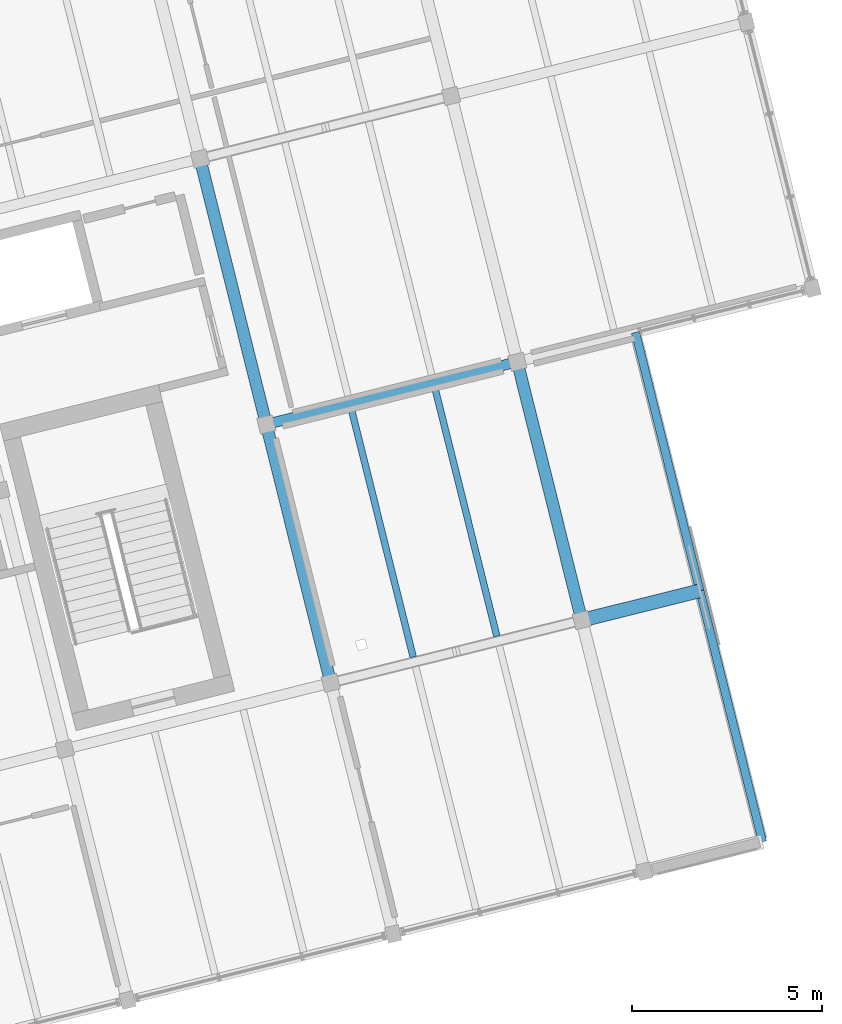
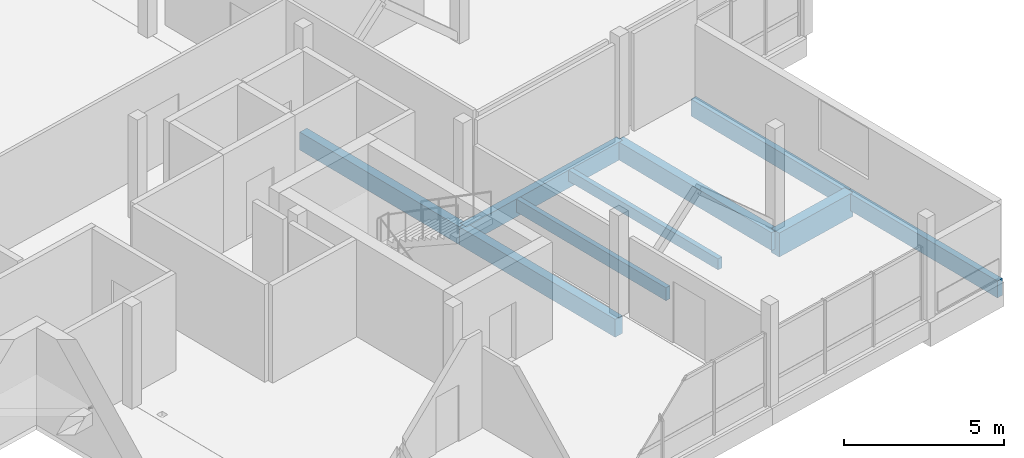
# One storey, part 12 of 27: 9 beams.
"""IFC4 building model written with IfcOpenShell, lengths in metres."""

from ifc_helpers import new_model, si_unit, direction, frame, origin, origin_2d, place, context, subcontext, project, spatial, rectangle, extrude, material, material_profile, profile_set, type_object, element, save


model = new_model("IFC4")

# Units and contexts
model_context = context("Model", 3, precision=1e-05, world=origin(), true_north=direction((0.0, 1.0)))
body_context = subcontext(model_context, "Body", "Model", "MODEL_VIEW")
ifc_project = project(units=[si_unit("LENGTHUNIT", "METRE"), si_unit("AREAUNIT", "SQUARE_METRE"), si_unit("VOLUMEUNIT", "CUBIC_METRE"), si_unit("PLANEANGLEUNIT", "RADIAN"), si_unit("MASSUNIT", "GRAM", prefix="KILO")], contexts=[model_context])

# Site, building, storey
site_placement = place(None, origin())
site = spatial("IfcSite", under=ifc_project, at=site_placement, CompositionType="ELEMENT")
building_placement = place(site_placement, origin())
building = spatial("IfcBuilding", under=site, at=building_placement, Name="Meriwether Solvik Hall", CompositionType="ELEMENT")
storey_placement = place(building_placement, frame((0.0, 0.0, 33.89990234375)))
storey = spatial("IfcBuildingStorey", under=building, at=storey_placement, Name="L08", CompositionType="ELEMENT", Elevation=33.89990234375)

# Beams
ifc_material_1 = material(Name="Glulam Douglas-Fir 24F-V8 GL28h", Category="wood")
ifc_material_profile_1 = material_profile(ifc_material_1, rectangle(XDim=0.221923828125, YDim=0.64501953125, at=origin_2d()), Name="GLB-222X645")
ifc_profile_set_1 = profile_set([ifc_material_profile_1], Name="Glulam Douglas-Fir 24F-V8 GL28h")
beam_type_1 = type_object("IfcBeamType", Name="BM-GL-222X645", PredefinedType="SPANDREL", material=ifc_profile_set_1)
beam_1_placement = place(storey_placement, frame((106.635498046875, 50.683349609375, -0.50244140625), z_axis=(-0.241918877831, 0.970296478685, 0.0), x_axis=(-0.970296478685, -0.241918877831, 0.0)))
element("IfcBeam", 1, at=beam_1_placement, inside=storey, type_object=beam_type_1, Name="Shard Edge Spandrel 1 (L08)", PredefinedType="SPANDREL", context=body_context, shape_type="SweptSolid", body=[
    extrude(rectangle(XDim=0.221923828125, YDim=0.64501953125, at=origin_2d()), origin(), (0.0, 0.0, 1.0), 6.7998046875),
])
beam_2_placement = place(storey_placement, frame((104.990478515625, 57.28125, -0.50244140625), z_axis=(-0.241903692719, 0.970300264582, 0.0), x_axis=(-0.970300264582, -0.241903692719, 0.0)))
element("IfcBeam", 2, at=beam_2_placement, inside=storey, type_object=beam_type_1, Name="Shard Edge Spandrel 2 (L08)", PredefinedType="SPANDREL", context=body_context, shape_type="SweptSolid", body=[
    extrude(rectangle(XDim=0.221923828125, YDim=0.64501953125, at=origin_2d()), origin(), (0.0, 0.0, 1.0), 7.000244140625),
])
ifc_material_2 = material(Name="Glulam Douglas-Fir 24F-V8 GL28h", Category="wood")
ifc_material_profile_2 = material_profile(ifc_material_2, rectangle(XDim=0.27294921875, YDim=0.68505859375, at=origin_2d()), Name="GLB-273X685")
ifc_profile_set_2 = profile_set([ifc_material_profile_2], Name="Glulam Douglas-Fir 24F-V8 GL28h")
beam_type_2 = type_object("IfcBeamType", Name="BM-GL-273X685", PredefinedType="BEAM", material=ifc_profile_set_2)
beam_3_placement = place(storey_placement, frame((93.593994140625, 61.654296875, -0.5224609375), z_axis=(0.970298579828, 0.24191045034, 0.0), x_axis=(-0.24191045034, 0.970298579828, 0.0)))
element("IfcBeam", 3, at=beam_3_placement, inside=storey, type_object=beam_type_2, Name="Tower Girder TC:T5-T6 (L08)", PredefinedType="BEAM", context=body_context, shape_type="SweptSolid", body=[
    extrude(rectangle(XDim=0.27294921875, YDim=0.68505859375, at=origin_2d()), origin(), (0.0, 0.0, 1.0), 6.800048828125),
])
ifc_material_3 = material(Name="Glulam Douglas-Fir 24F-V8 GL28h", Category="wood")
ifc_material_profile_3 = material_profile(ifc_material_3, rectangle(XDim=0.31494140625, YDim=0.68505859375, at=origin_2d()), Name="GLB-315X685")
ifc_profile_set_3 = profile_set([ifc_material_profile_3], Name="Glulam Douglas-Fir 24F-V8 GL28h")
beam_type_3 = type_object("IfcBeamType", Name="BM-GL-315X685", PredefinedType="BEAM", material=ifc_profile_set_3)
beam_4_placement = place(storey_placement, frame((95.28759765625, 54.862060546875, -0.5224609375), z_axis=(-0.241936527961, 0.970292077901, 0.0), x_axis=(-0.970292077901, -0.241936527961, 0.0)))
element("IfcBeam", 4, at=beam_4_placement, inside=storey, type_object=beam_type_3, Name="Tower Girder T5:TB-TC (L08)", PredefinedType="BEAM", context=body_context, shape_type="SweptSolid", body=[
    extrude(rectangle(XDim=0.31494140625, YDim=0.68505859375, at=origin_2d()), origin(), (0.0, 0.0, 1.0), 7.000244140625),
])
beam_5_placement = place(storey_placement, frame((93.593994140625, 61.654296875, -0.5224609375), z_axis=(-0.241905269381, 0.970299871507, 0.0), x_axis=(-0.970299871507, -0.241905269381, 0.0)))
element("IfcBeam", 5, at=beam_5_placement, inside=storey, type_object=beam_type_3, Name="Tower Girder T5:TC-TD (L08)", PredefinedType="BEAM", context=body_context, shape_type="SweptSolid", body=[
    extrude(rectangle(XDim=0.31494140625, YDim=0.68505859375, at=origin_2d()), origin(), (0.0, 0.0, 1.0), 7.199951171875),
])
beam_6_placement = place(storey_placement, frame((101.885498046875, 56.507080078125, -0.5224609375), z_axis=(-0.241903692719, 0.970300264582, 0.0), x_axis=(-0.970300264582, -0.241903692719, 0.0)))
element("IfcBeam", 6, at=beam_6_placement, inside=storey, type_object=beam_type_3, Name="Tower Girder T6:TB-TC (L08)", PredefinedType="BEAM", context=body_context, shape_type="SweptSolid", body=[
    extrude(rectangle(XDim=0.31494140625, YDim=0.68505859375, at=origin_2d()), origin(), (0.0, 0.0, 1.0), 7.000244140625),
])
ifc_material_4 = material(Name="Glulam Douglas-Fir 24F-V8 GL28h", Category="wood")
ifc_material_profile_4 = material_profile(ifc_material_4, rectangle(XDim=0.364990234375, YDim=0.9150390625, at=origin_2d()), Name="GLB-365X915")
ifc_profile_set_4 = profile_set([ifc_material_profile_4], Name="Glulam Douglas-Fir 24F-V8 GL28h")
beam_type_4 = type_object("IfcBeamType", Name="GL-CANT-365X915", PredefinedType="BEAM", material=ifc_profile_set_4)
beam_7_placement = place(storey_placement, frame((101.885498046875, 56.507080078125, -0.637451171875), z_axis=(0.970294894235, 0.241925232711, 0.0), x_axis=(-0.241925232711, 0.970294894235, 0.0)))
element("IfcBeam", 7, at=beam_7_placement, inside=storey, type_object=beam_type_4, Name="Shard Cantilever Girder TB (L08)", PredefinedType="BEAM", context=body_context, shape_type="SweptSolid", body=[
    extrude(rectangle(XDim=0.364990234375, YDim=0.9150390625, at=origin_2d()), origin(), (0.0, 0.0, 1.0), 3.199951171875),
])
ifc_material_5 = material(Name="Glulam Douglas-Fir 24F-V8 GL28h", Category="wood")
ifc_material_profile_5 = material_profile(ifc_material_5, rectangle(XDim=0.175048828125, YDim=0.419921875, at=origin_2d()), Name="GLJ-175X420")
ifc_profile_set_5 = profile_set([ifc_material_profile_5], Name="Glulam Douglas-Fir 24F-V8 GL28h")
beam_type_5 = type_object("IfcBeamType", Name="JST-GL-175X420", PredefinedType="JOIST", material=ifc_profile_set_5)
beam_8_placement = place(storey_placement, frame((99.654296875, 56.08642578125, -0.389892578125), z_axis=(-0.241896058636, 0.970302167789, 0.0), x_axis=(-0.970302167789, -0.241896058636, 0.0)))
element("IfcBeam", 8, at=beam_8_placement, inside=storey, type_object=beam_type_5, Name="Glulam Floor Joist T5/TB-J2 (L08)", PredefinedType="JOIST", context=body_context, shape_type="SweptSolid", body=[
    extrude(rectangle(XDim=0.175048828125, YDim=0.419921875, at=origin_2d()), origin(), (0.0, 0.0, 1.0), 6.73681640625),
])
ifc_material_6 = material(Name="Glulam Douglas-Fir 24F-V8 GL28h", Category="wood")
ifc_material_profile_6 = material_profile(ifc_material_6, rectangle(XDim=0.175048828125, YDim=0.4951171875, at=origin_2d()), Name="GLJ-175X495")
ifc_profile_set_6 = profile_set([ifc_material_profile_6], Name="Glulam Douglas-Fir 24F-V8 GL28h")
beam_type_6 = type_object("IfcBeamType", Name="JST-GL-175X495", PredefinedType="JOIST", material=ifc_profile_set_6)
beam_9_placement = place(storey_placement, frame((97.455078125, 55.5380859375, -0.427490234375), z_axis=(-0.241930176813, 0.9702936615, 0.0), x_axis=(-0.9702936615, -0.241930176813, 0.0)))
element("IfcBeam", 9, at=beam_9_placement, inside=storey, type_object=beam_type_6, Name="Glulam Floor Joist T5/TB-J1 (L08)", PredefinedType="JOIST", context=body_context, shape_type="SweptSolid", body=[
    extrude(rectangle(XDim=0.175048828125, YDim=0.4951171875, at=origin_2d()), origin(), (0.0, 0.0, 1.0), 6.737060546875),
])

save(model, "model.ifc")
